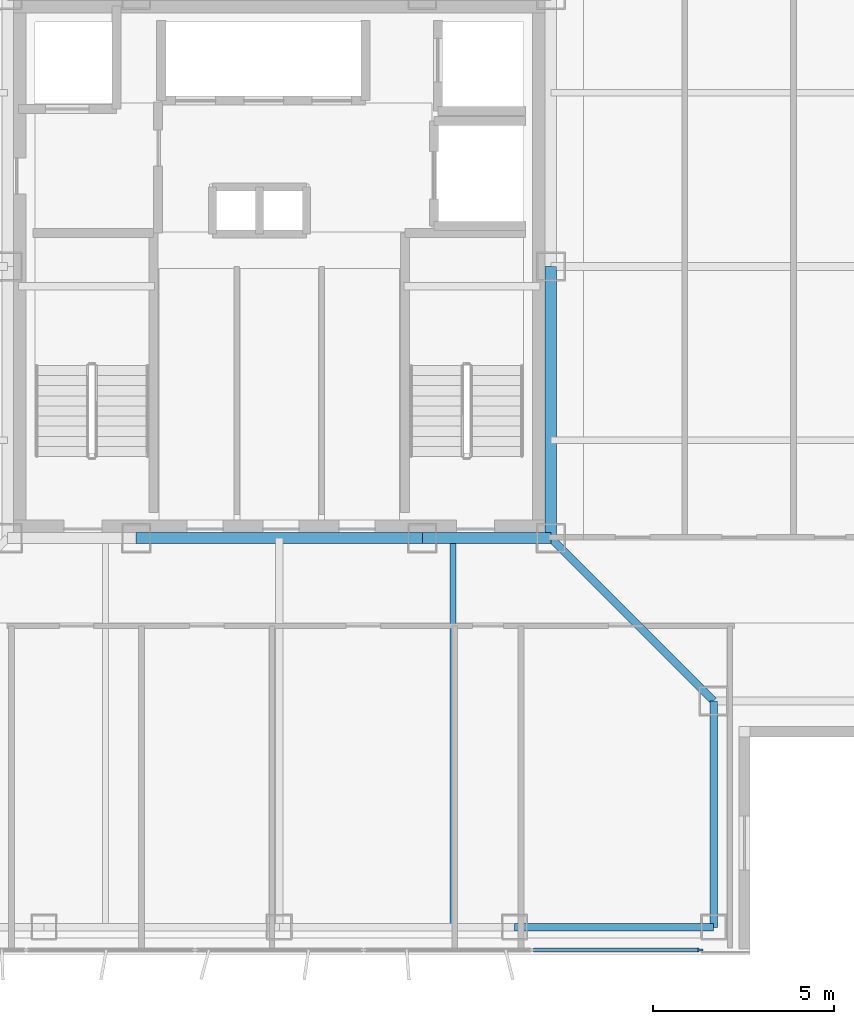
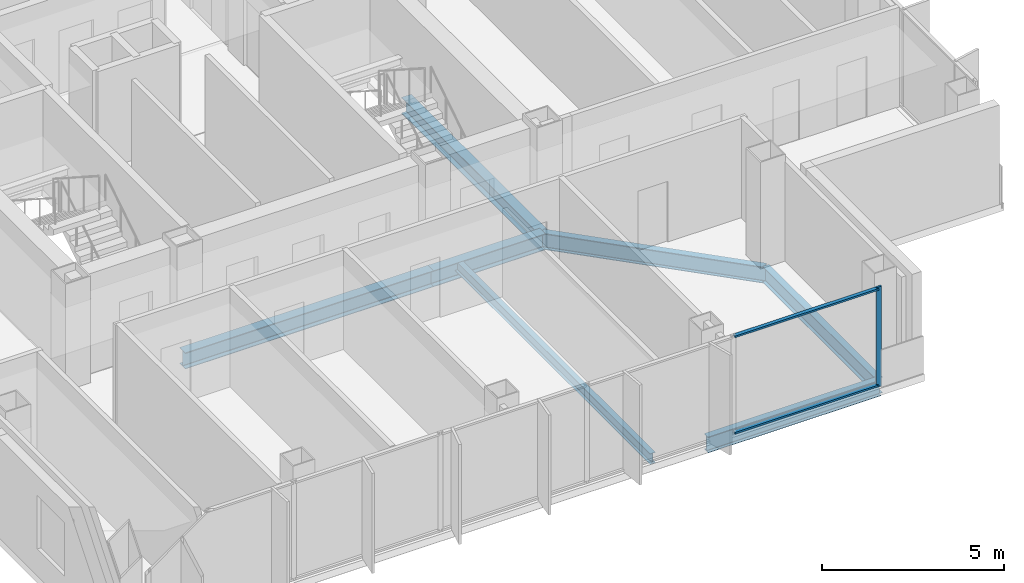
# One storey, part 3 of 15: 7 beams, 3 members, 1 element without a shape of its own.
"""IFC4 building model written with IfcOpenShell, lengths in metres."""

from ifc_helpers import new_model, si_unit, direction, frame, origin, origin_2d, place, context, subcontext, project, spatial, rectangle, i_section, extrude, material, layer, layer_set, material_profile, profile_set, type_object, element, aggregate, save


model = new_model("IFC4")

# Units and contexts
model_context = context("Model", 3, precision=1e-05, world=origin(), true_north=direction((0.0, 1.0)))
body_context = subcontext(model_context, "Body", "Model", "MODEL_VIEW")
ifc_project = project(units=[si_unit("LENGTHUNIT", "METRE"), si_unit("AREAUNIT", "SQUARE_METRE"), si_unit("VOLUMEUNIT", "CUBIC_METRE"), si_unit("PLANEANGLEUNIT", "RADIAN"), si_unit("MASSUNIT", "GRAM", prefix="KILO")], contexts=[model_context])

# Site, building, storey
site_placement = place(None, origin())
site = spatial("IfcSite", under=ifc_project, at=site_placement, CompositionType="ELEMENT")
building_placement = place(site_placement, origin())
building = spatial("IfcBuilding", under=site, at=building_placement, Name="Trevonay Congress Spire", CompositionType="ELEMENT")
storey_placement = place(building_placement, frame((0.0, 0.0, 293.60009765625)))
storey = spatial("IfcBuildingStorey", under=building, at=storey_placement, Name="L77", CompositionType="ELEMENT", Elevation=293.60009765625)

# Beams
ifc_material_1 = material(Name="Steel ASTM A572 Grade 50", Category="steel")
ifc_material_profile_1 = material_profile(ifc_material_1, i_section(OverallWidth=0.2119140625, OverallDepth=0.5439453125, WebThickness=0.01318359375, FlangeThickness=0.021240234375, FilletRadius=0.014892578125, at=origin_2d()), Name="W530x123")
ifc_profile_set_1 = profile_set([ifc_material_profile_1], Name="Steel ASTM A572 Grade 50")
beam_type_1 = type_object("IfcBeamType", Name="BM-GIRD-W530X123", PredefinedType="BEAM", material=ifc_profile_set_1)
beam_1_placement = place(storey_placement, frame((7.5, -7.5, -0.51220703125), z_axis=(0.707106781187, -0.707106781187, 0.0), x_axis=(0.707106781187, 0.707106781187, 0.0)))
element("IfcBeam", 1, at=beam_1_placement, inside=storey, type_object=beam_type_1, Name="L77 structural beam BM-L77-CDSE", PredefinedType="BEAM", context=body_context, shape_type="SweptSolid", body=[
    extrude(i_section(OverallWidth=0.2119140625, OverallDepth=0.5439453125, WebThickness=0.01318359375, FlangeThickness=0.021240234375, FilletRadius=0.014892578125, at=origin_2d()), origin(), (0.0, 0.0, 1.0), 6.364013671875),
])
ifc_material_profile_2 = material_profile(ifc_material_1, i_section(OverallWidth=0.31201171875, OverallDepth=0.54296875, WebThickness=0.0126953125, FlangeThickness=0.020263671875, FilletRadius=0.014892578125, at=origin_2d()), Name="W530x150")
ifc_profile_set_2 = profile_set([ifc_material_profile_2], Name="Steel ASTM A572 Grade 50")
beam_type_2 = type_object("IfcBeamType", Name="BM-GIRD-W530X150", PredefinedType="BEAM", material=ifc_profile_set_2)
beam_2_placement = place(storey_placement, frame((-3.949951171875, -7.5, -0.51171875), z_axis=(1.0, 0.0, 0.0), x_axis=(0.0, 1.0, 0.0)))
element("IfcBeam", 2, at=beam_2_placement, inside=storey, type_object=beam_type_2, Name="L77 structural beam BM-L77-CR-S2", PredefinedType="BEAM", context=body_context, shape_type="SweptSolid", body=[
    extrude(i_section(OverallWidth=0.31201171875, OverallDepth=0.54296875, WebThickness=0.0126953125, FlangeThickness=0.020263671875, FilletRadius=0.014892578125, at=origin_2d()), origin(), (0.0, 0.0, 1.0), 7.89990234375),
])
beam_3_placement = place(storey_placement, frame((3.949951171875, -7.5, -0.51171875), z_axis=(1.0, 0.0, 0.0), x_axis=(0.0, 1.0, 0.0)))
element("IfcBeam", 3, at=beam_3_placement, inside=storey, type_object=beam_type_2, Name="L77 structural beam BM-L77-CR-S3", PredefinedType="BEAM", context=body_context, shape_type="SweptSolid", body=[
    extrude(i_section(OverallWidth=0.31201171875, OverallDepth=0.54296875, WebThickness=0.0126953125, FlangeThickness=0.020263671875, FilletRadius=0.014892578125, at=origin_2d()), origin(), (0.0, 0.0, 1.0), 3.550048828125),
])
beam_4_placement = place(storey_placement, frame((7.5, -7.5, -0.51171875), z_axis=(0.0, 1.0, 0.0), x_axis=(-1.0, 0.0, 0.0)))
element("IfcBeam", 4, at=beam_4_placement, inside=storey, type_object=beam_type_2, Name="L77 structural beam BM-L77-CR-E1", PredefinedType="BEAM", context=body_context, shape_type="SweptSolid", body=[
    extrude(i_section(OverallWidth=0.31201171875, OverallDepth=0.54296875, WebThickness=0.0126953125, FlangeThickness=0.020263671875, FilletRadius=0.014892578125, at=origin_2d()), origin(), (0.0, 0.0, 1.0), 7.5),
])
ifc_material_profile_3 = material_profile(ifc_material_1, i_section(OverallWidth=0.208984375, OverallDepth=0.532958984375, WebThickness=0.01025390625, FlangeThickness=0.015625, FilletRadius=0.014892578125, at=origin_2d()), Name="W530x92")
ifc_profile_set_3 = profile_set([ifc_material_profile_3], Name="Steel ASTM A572 Grade 50")
beam_type_3 = type_object("IfcBeamType", Name="BM-RING-W530X92", PredefinedType="BEAM", material=ifc_profile_set_3)
beam_5_placement = place(storey_placement, frame((6.5, -18.25, -0.506591796875), z_axis=(1.0, 0.0, 0.0), x_axis=(0.0, 1.0, 0.0)))
element("IfcBeam", 5, at=beam_5_placement, inside=storey, type_object=beam_type_3, Name="L77 structural beam BM-L77-PS4", PredefinedType="BEAM", context=body_context, shape_type="SweptSolid", body=[
    extrude(i_section(OverallWidth=0.208984375, OverallDepth=0.532958984375, WebThickness=0.01025390625, FlangeThickness=0.015625, FilletRadius=0.014892578125, at=origin_2d()), origin(), (0.0, 0.0, 1.0), 5.5),
])
beam_6_placement = place(storey_placement, frame((12.0, -18.25, -0.506591796875), z_axis=(0.0, 1.0, 0.0), x_axis=(-1.0, 0.0, 0.0)))
element("IfcBeam", 6, at=beam_6_placement, inside=storey, type_object=beam_type_3, Name="L77 structural beam BM-L77-N1SE", PredefinedType="BEAM", context=body_context, shape_type="SweptSolid", body=[
    extrude(i_section(OverallWidth=0.208984375, OverallDepth=0.532958984375, WebThickness=0.01025390625, FlangeThickness=0.015625, FilletRadius=0.014892578125, at=origin_2d()), origin(), (0.0, 0.0, 1.0), 6.25),
])

# Curtain wall, members
ifc_material_2 = material(Name="Pale Anodised Aluminium EN AW-6063-T6", Category="aluminium")
ifc_layer = layer(ifc_material_2, 0.1650390625, Name="Pale Anodised Aluminium EN AW-6063-T6")
ifc_layer_set = layer_set([ifc_layer], Name="Pale Anodised Aluminium EN AW-6063-T6")
curtain_wall_type = type_object("IfcCurtainWallType", Name="CW-SYS05-DIPLOM-PALE-METAL", PredefinedType="NOTDEFINED", material=ifc_layer_set)
curtain_wall_placement = place(storey_placement, origin())
curtain_wall = element("IfcCurtainWall", 7, at=curtain_wall_placement, inside=storey, type_object=curtain_wall_type, Name="L77 S unitised curtain wall", PredefinedType="NOTDEFINED")
ifc_material_profile_4 = material_profile(ifc_material_2, rectangle(XDim=0.06005859375, YDim=0.159912109375, at=origin_2d()), Name="CW-MULLION-160-ALUMINIUM")
ifc_profile_set_4 = profile_set([ifc_material_profile_4], Name="Pale Anodised Aluminium EN AW-6063-T6")
member_type_1 = type_object("IfcMemberType", Name="CW-MULLION-160-ALUMINIUM", PredefinedType="MULLION", material=ifc_profile_set_4)
member_1_placement = place(storey_placement, frame((11.6201171875, -18.8798828125, 0.0), z_axis=(0.0, 0.0, 1.0), x_axis=(0.0, 1.0, 0.0)))
member_1 = element("IfcMember", 8, at=member_1_placement, type_object=member_type_1, Name="CW05 mullion 6", PredefinedType="MULLION", context=body_context, shape_type="SweptSolid", body=[
    extrude(rectangle(XDim=0.06005859375, YDim=0.159912109375, at=origin_2d()), origin(), (0.0, 0.0, 1.0), 3.35986328125),
])
ifc_material_profile_5 = material_profile(ifc_material_2, rectangle(XDim=0.1201171875, YDim=0.06005859375, at=origin_2d()), Name="CW-TRANSOM-120-ALUMINIUM")
ifc_profile_set_5 = profile_set([ifc_material_profile_5], Name="Pale Anodised Aluminium EN AW-6063-T6")
member_type_2 = type_object("IfcMemberType", Name="CW-TRANSOM-120-ALUMINIUM", PredefinedType="USERDEFINED", material=ifc_profile_set_5)
member_2_placement = place(storey_placement, frame((7.02001953125, -18.8798828125, 0.059814453125), z_axis=(1.0, 0.0, 0.0), x_axis=(0.0, 1.0, 0.0)))
member_2 = element("IfcMember", 9, at=member_2_placement, type_object=member_type_2, Name="CW05 transom 5.1", ObjectType="TRANSOM", PredefinedType="USERDEFINED", context=body_context, shape_type="SweptSolid", body=[
    extrude(rectangle(XDim=0.1201171875, YDim=0.06005859375, at=origin_2d()), origin(), (0.0, 0.0, 1.0), 4.570068359375),
])
member_3_placement = place(storey_placement, frame((7.02001953125, -18.8798828125, 3.2998046875), z_axis=(1.0, 0.0, 0.0), x_axis=(0.0, 1.0, 0.0)))
member_3 = element("IfcMember", 10, at=member_3_placement, type_object=member_type_2, Name="CW05 transom 5.2", ObjectType="TRANSOM", PredefinedType="USERDEFINED", context=body_context, shape_type="SweptSolid", body=[
    extrude(rectangle(XDim=0.1201171875, YDim=0.06005859375, at=origin_2d()), origin(), (0.0, 0.0, 1.0), 4.570068359375),
])
aggregate(curtain_wall, [member_1, member_2, member_3])

# Beam
ifc_material_profile_6 = material_profile(ifc_material_1, i_section(OverallWidth=0.172119140625, OverallDepth=0.35791015625, WebThickness=0.0078125, FlangeThickness=0.01318359375, FilletRadius=0.011962890625, at=origin_2d()), Name="W360x57.8")
ifc_profile_set_6 = profile_set([ifc_material_profile_6], Name="Steel ASTM A572 Grade 50")
beam_type_4 = type_object("IfcBeamType", Name="JS-COMP-W360X57", PredefinedType="JOIST", material=ifc_profile_set_6)
beam_7_placement = place(storey_placement, frame((4.800048828125, -18.25, -0.419189453125), z_axis=(0.0, 1.0, 0.0), x_axis=(-1.0, 0.0, 0.0)))
element("IfcBeam", 11, at=beam_7_placement, inside=storey, type_object=beam_type_4, Name="L77 structural beam JS-L77-NS-S3", PredefinedType="JOIST", context=body_context, shape_type="SweptSolid", body=[
    extrude(i_section(OverallWidth=0.172119140625, OverallDepth=0.35791015625, WebThickness=0.0078125, FlangeThickness=0.01318359375, FilletRadius=0.011962890625, at=origin_2d()), origin(), (0.0, 0.0, 1.0), 10.75),
])

save(model, "model.ifc")
